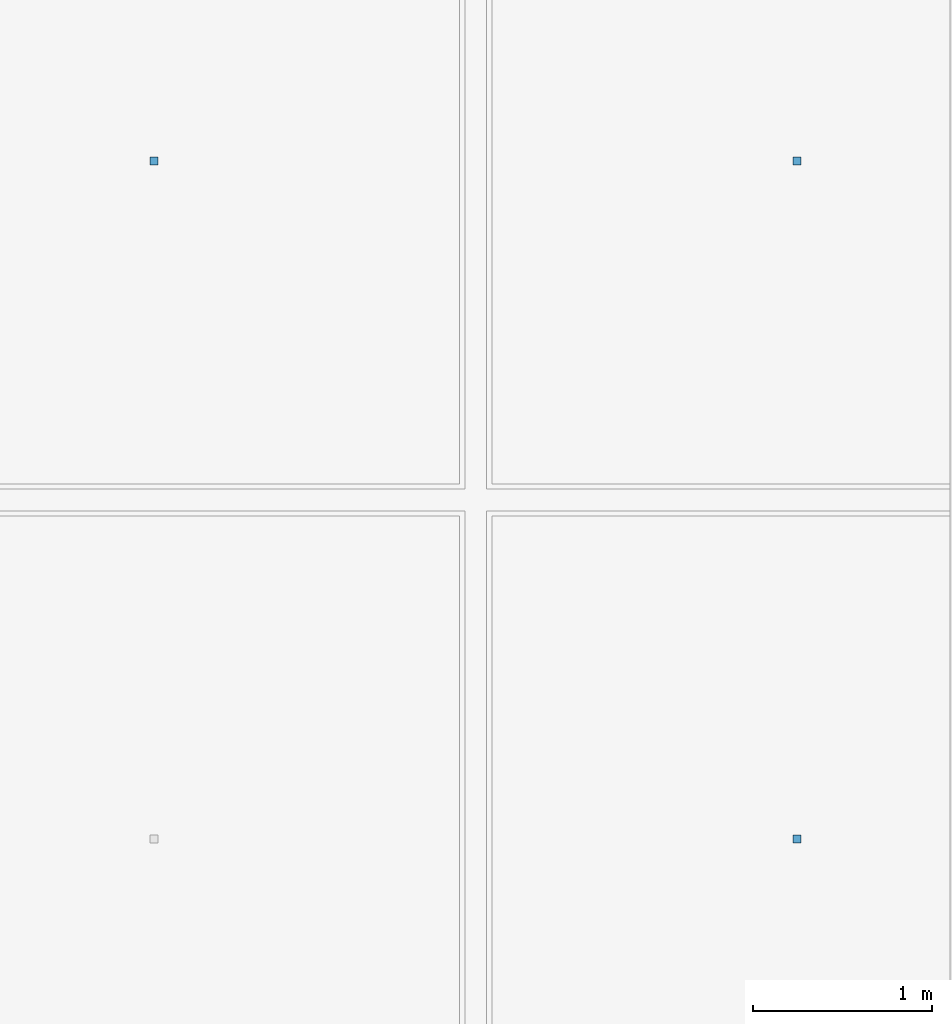
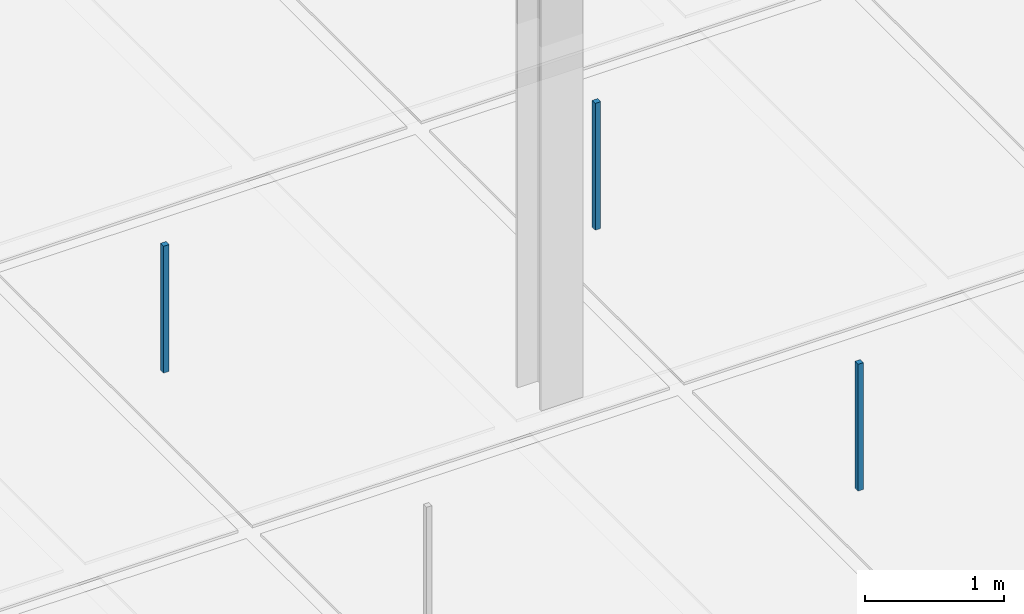
# One storey, part 80 of 130: 3 discrete accessories.
"""IFC4 building model written with IfcOpenShell, lengths in metres."""

from ifc_helpers import new_model, si_unit, direction, frame, origin, origin_2d, place, context, subcontext, project, spatial, rectangle, extrude, material, type_object, element, save


model = new_model("IFC4")

# Units and contexts
model_context = context("Model", 3, precision=1e-05, world=origin(), true_north=direction((0.0, 1.0)))
body_context = subcontext(model_context, "Body", "Model", "MODEL_VIEW")
ifc_project = project(units=[si_unit("LENGTHUNIT", "METRE"), si_unit("AREAUNIT", "SQUARE_METRE"), si_unit("VOLUMEUNIT", "CUBIC_METRE"), si_unit("PLANEANGLEUNIT", "RADIAN"), si_unit("MASSUNIT", "GRAM", prefix="KILO"), si_unit("THERMODYNAMICTEMPERATUREUNIT", "KELVIN"), si_unit("POWERUNIT", "WATT")], contexts=[model_context])

# Site, building, storey
site_placement = place(None, origin())
site = spatial("IfcSite", under=ifc_project, at=site_placement, CompositionType="ELEMENT")
building_placement = place(site_placement, origin())
building = spatial("IfcBuilding", under=site, at=building_placement, Name="Tallowbark Science Centre", CompositionType="ELEMENT")
storey_placement = place(building_placement, frame((0.0, 0.0, 5.39990234375)))
storey = spatial("IfcBuildingStorey", under=building, at=storey_placement, Name="L01", CompositionType="ELEMENT", Elevation=5.39990234375)

# Discrete accessories
ifc_material = material(Name="Galvanised Steel Grade C350L0 (350 MPa)", Category="steel")
discrete_accessory_type = type_object("IfcDiscreteAccessoryType", Name="ACC-CLG-HNG", PredefinedType="BRACKET", material=ifc_material)
for number, where, z_axis, x_axis, name in (
    (1, (89.958251953125, 11.166748046875, 3.20947265625), (0.0, 0.0, 1.0), (1.0, 0.0, 0.0), "Ceiling Hanger Bracket L01-544"),
    (2, (93.541748046875, 7.388916015625, 3.20947265625), (0.0, 0.0, 1.0), (1.0, 0.0, 0.0), "Ceiling Hanger Bracket L01-548"),
    (3, (93.541748046875, 11.166748046875, 3.20947265625), (0.0, 0.0, 1.0), (1.0, 0.0, 0.0), "Ceiling Hanger Bracket L01-549"),
):
    element("IfcDiscreteAccessory", number, at=place(storey_placement, frame(where, z_axis=z_axis, x_axis=x_axis)), inside=storey, type_object=discrete_accessory_type, Name=name, PredefinedType="BRACKET", context=body_context, shape_type="SweptSolid", body=[
        extrude(rectangle(XDim=0.044921875, YDim=0.044921875, at=origin_2d()), origin(), (0.0, 0.0, 1.0), 1.113525390625),
    ])

save(model, "model.ifc")
